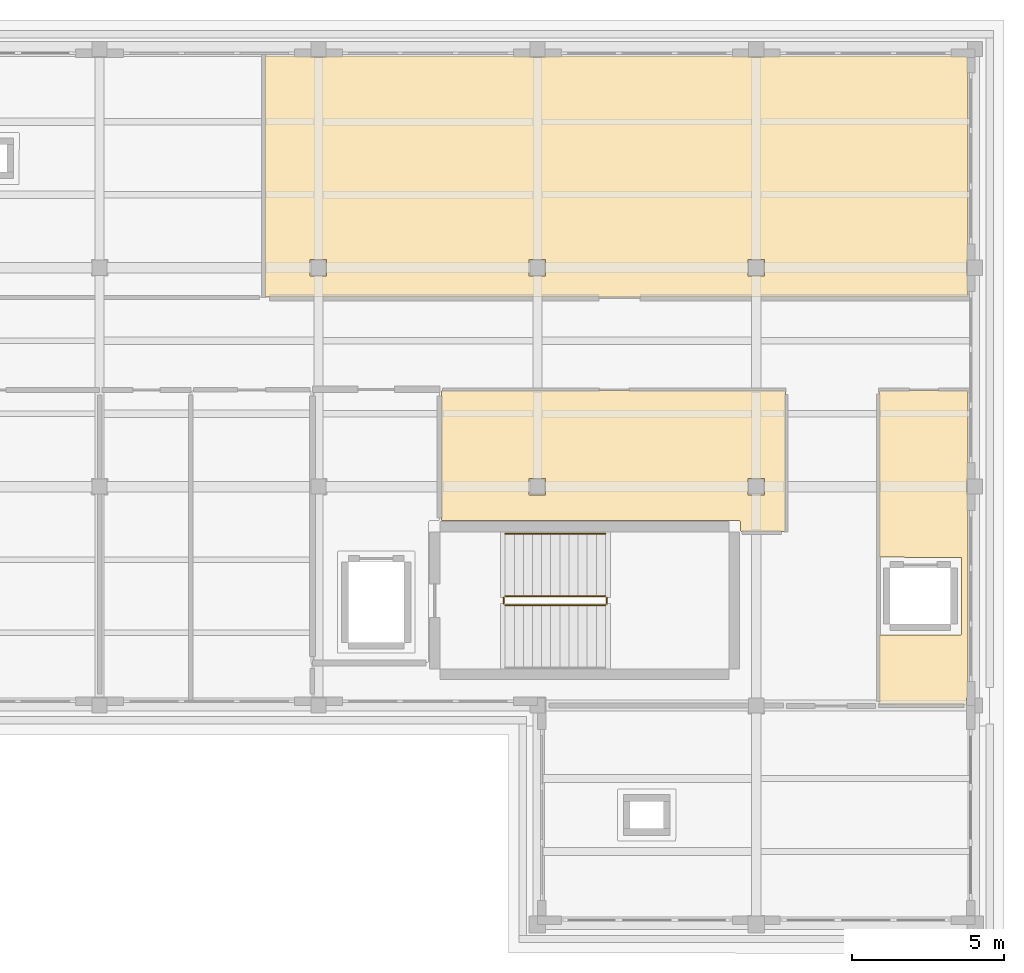
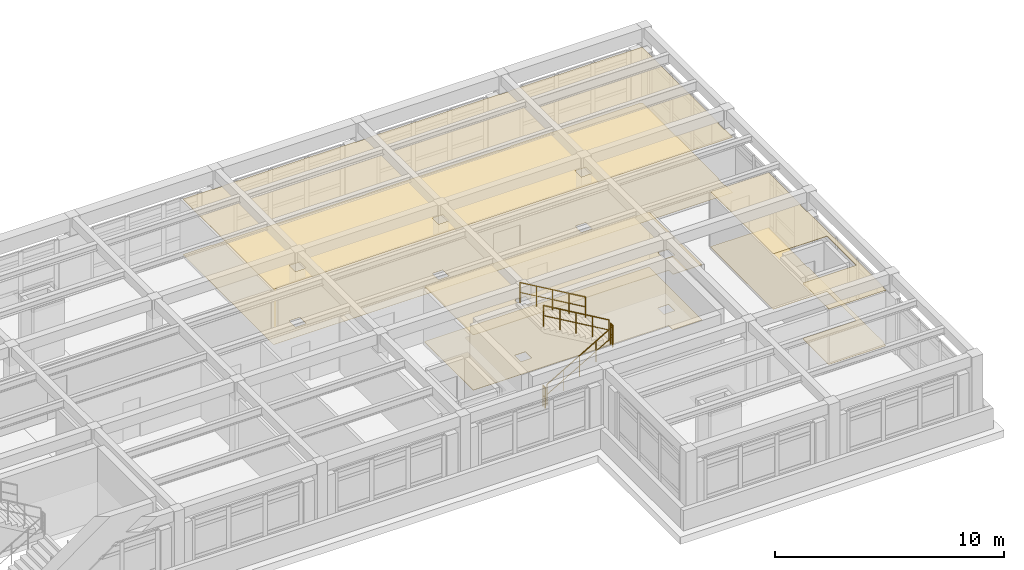
# One storey, part 20 of 20: 6 coverings, 5 railings.
"""IFC4 building model written with IfcOpenShell, lengths in metres."""

import ifcopenshell
import ifcopenshell.guid

model = None  # the IFC model being written
_history = None  # IfcOwnerHistory: only IFC2X3 demands one
_inside = {}  # id of a spatial element -> (the spatial element, [elements in it])
_under = {}  # id of a project, library or spatial element -> (it, [spatial elements below it])
_declared = {}  # id of a project -> (the project, [libraries it declares])
_typed = {}  # id of a type object -> (the type object, [elements of that type])
_made_of = {}  # id of a material, layer set ... -> (it, [elements and type objects made of it])


def new_model(schema):
    """Start an empty IFC model of exactly this schema.

    Asked for "IFC4X3", IfcOpenShell would pick the latest addendum, in which some entities
    have other attributes; the version numbers below select the first issue.
    IFC2X3 requires an IfcOwnerHistory on every rooted entity: one is made here for all.
    """
    global model, _history
    if schema == "IFC4X3":
        model = ifcopenshell.file(schema_version=(4, 3, 0, 0))
    else:
        model = ifcopenshell.file(schema=schema)
    _inside.clear()
    _under.clear()
    _declared.clear()
    _typed.clear()
    _made_of.clear()
    _history = None
    if model.schema == "IFC2X3":
        org = make("IfcOrganization", Name="unknown")
        user = make(
            "IfcPersonAndOrganization",
            ThePerson=make("IfcPerson", FamilyName="unknown"),
            TheOrganization=org,
        )
        app = make(
            "IfcApplication",
            ApplicationDeveloper=org,
            Version="unknown",
            ApplicationFullName="unknown",
            ApplicationIdentifier="unknown",
        )
        _history = make(
            "IfcOwnerHistory",
            OwningUser=user,
            OwningApplication=app,
            ChangeAction="ADDED",
            CreationDate=0,
        )
    return model


def make(cls, **values):
    """One entity of the class cls with the attributes given. An attribute that is None is left unset."""
    return model.create_entity(
        cls, **{name: value for name, value in values.items() if value is not None}
    )


def rooted(cls, **values):
    """An entity with a GlobalId (a new one), such as an element, a storey or a relation."""
    return make(cls, GlobalId=ifcopenshell.guid.new(), OwnerHistory=_history, **values)


def si_unit(unit_type, name, prefix=None):
    """IfcSIUnit, for example si_unit("LENGTHUNIT", "METRE", prefix="MILLI")."""
    return make("IfcSIUnit", UnitType=unit_type, Prefix=prefix, Name=name)


def assignment(units):
    """IfcUnitAssignment: the units of a project."""
    return None if units is None else make("IfcUnitAssignment", Units=units)


def point(xyz):
    """IfcCartesianPoint."""
    return None if xyz is None else make("IfcCartesianPoint", Coordinates=xyz)


def direction(xyz):
    """IfcDirection."""
    return None if xyz is None else make("IfcDirection", DirectionRatios=xyz)


def frame(location, z_axis=None, x_axis=None):
    """IfcAxis2Placement3D, a coordinate frame: its origin and axes. An axis left out is left unset."""
    return make(
        "IfcAxis2Placement3D",
        Location=point(location),
        Axis=direction(z_axis),
        RefDirection=direction(x_axis),
    )


def frame_2d(location, x_axis=None):
    """IfcAxis2Placement2D, a coordinate frame in the plane: its origin and x axis."""
    return make(
        "IfcAxis2Placement2D", Location=point(location), RefDirection=direction(x_axis)
    )


def origin():
    """The frame at (0, 0, 0) with its axes left unset."""
    return frame((0.0, 0.0, 0.0))


def origin_2d():
    """The frame at (0, 0) in the plane with its x axis left unset."""
    return frame_2d((0.0, 0.0))


def place(relative_to, where):
    """IfcLocalPlacement: puts the frame where relative to a parent placement (None: the world)."""
    return make(
        "IfcLocalPlacement", PlacementRelTo=relative_to, RelativePlacement=where
    )


def context(
    kind, dimensions, precision=None, world=None, true_north=None, identifier=None
):
    """IfcGeometricRepresentationContext, for example the 3D "Model" context."""
    return make(
        "IfcGeometricRepresentationContext",
        ContextIdentifier=identifier,
        ContextType=kind,
        CoordinateSpaceDimension=dimensions,
        Precision=precision,
        WorldCoordinateSystem=world,
        TrueNorth=true_north,
    )


def subcontext(parent, identifier, kind, view, scale=None):
    """IfcGeometricRepresentationSubContext, for example "Body" below "Model"."""
    return make(
        "IfcGeometricRepresentationSubContext",
        ContextIdentifier=identifier,
        ContextType=kind,
        ParentContext=parent,
        TargetScale=scale,
        TargetView=view,
    )


def project(units=None, contexts=None):
    """IfcProject with its units and contexts."""
    return rooted(
        "IfcProject",
        Name="project",
        RepresentationContexts=contexts,
        UnitsInContext=assignment(units),
    )


def spatial(cls, under=None, at=None, **own):
    """A site, building, storey or space (cls), placed at a placement, below another one or the project."""
    s = rooted(cls, ObjectPlacement=at, **own)
    if under is not None:
        _under.setdefault(under.id(), (under, []))[1].append(s)
    return s


def polyline(points):
    """IfcPolyline through the points."""
    return make("IfcPolyline", Points=[point(p) for p in points])


def profile(cls, at=None, kind="AREA", **sizes):
    """A parametric profile (cls). Its sizes go by their IFC names, for example OverallWidth=200.0."""
    return make(cls, ProfileType=kind, Position=at, **sizes)


def circle(**sizes):
    """IfcCircleProfileDef."""
    return profile("IfcCircleProfileDef", **sizes)


def outline(outer, holes=None, kind="AREA"):
    """IfcArbitraryClosedProfileDef: a profile drawn as a closed curve; with holes, ...WithVoids."""
    if holes is None:
        return make("IfcArbitraryClosedProfileDef", ProfileType=kind, OuterCurve=outer)
    return make(
        "IfcArbitraryProfileDefWithVoids",
        ProfileType=kind,
        OuterCurve=outer,
        InnerCurves=holes,
    )


def extrude(swept, where, along, depth):
    """IfcExtrudedAreaSolid: the profile swept, set in the frame where, extruded along a direction by depth."""
    return make(
        "IfcExtrudedAreaSolid",
        SweptArea=swept,
        Position=where,
        ExtrudedDirection=direction(along),
        Depth=depth,
    )


def shape(context_of_items, identifier, shape_type, items):
    """IfcShapeRepresentation: the items that make up one representation, for example the "Body"."""
    return make(
        "IfcShapeRepresentation",
        ContextOfItems=context_of_items,
        RepresentationIdentifier=identifier,
        RepresentationType=shape_type,
        Items=items,
    )


def material(Name=None, Category=None):
    """IfcMaterial."""
    return make("IfcMaterial", Name=Name, Category=Category)


def layer(
    of_material, thickness, ventilated=None, Name=None, Category=None, Priority=None
):
    """IfcMaterialLayer: one layer of a wall or slab, of a material (None: an air gap)."""
    return make(
        "IfcMaterialLayer",
        Material=of_material,
        LayerThickness=thickness,
        IsVentilated=ventilated,
        Name=Name,
        Category=Category,
        Priority=Priority,
    )


def layer_set(layers, Name=None):
    """IfcMaterialLayerSet."""
    return make("IfcMaterialLayerSet", MaterialLayers=layers, LayerSetName=Name)


def made_of(thing, what):
    """Note that an element or type object is made of a material, layer set ...; save() writes the relation."""
    if what is not None:
        _made_of.setdefault(what.id(), (what, []))[1].append(thing)
    return thing


def type_object(cls, material=None, **own):
    """A type object (cls), such as IfcWallType, which elements share."""
    return made_of(rooted(cls, **own), material)


def element(
    cls,
    number,
    at=None,
    inside=None,
    cuts=None,
    type_object=None,
    material=None,
    context=None,
    identifier="Body",
    shape_type=None,
    held_by="IfcProductDefinitionShape",
    body=None,
    shapes=None,
    **own,
):
    """One element of the class cls, such as IfcWall. Its Tag is "e" and its number.

    at: its placement. inside: the storey or other place that contains it. cuts: it is an
    opening in that element (IfcRelVoidsElement). A single representation is given by context,
    identifier, shape_type and body (its items); several are given by shapes. held_by: the class
    of the entity that holds the representations. save() writes the other relations.
    """
    e = rooted(cls, Tag="e%d" % number, ObjectPlacement=at, **own)
    if body is not None:
        shapes = [shape(context, identifier, shape_type, body)]
    if shapes is not None:
        e.Representation = make(held_by, Representations=shapes)
    if inside is not None:
        _inside.setdefault(inside.id(), (inside, []))[1].append(e)
    if cuts is not None:
        rooted(
            "IfcRelVoidsElement", RelatingBuildingElement=cuts, RelatedOpeningElement=e
        )
    if type_object is not None:
        _typed.setdefault(type_object.id(), (type_object, []))[1].append(e)
    return made_of(e, material)


def aggregate(whole, parts):
    """IfcRelAggregates: a whole, such as a stair, and the parts it consists of."""
    return rooted("IfcRelAggregates", RelatingObject=whole, RelatedObjects=parts)


def save(model, path):
    """Write the relations noted so far, then the file.

    IfcRelAggregates (storeys below a building ...), IfcRelContainedInSpatialStructure (elements
    in a storey), IfcRelDefinesByType, IfcRelAssociatesMaterial and IfcRelDeclares: one each for
    every whole, place, type object, material and project.
    """
    for whole, parts in _under.values():
        aggregate(whole, parts)
    for where, things in _inside.values():
        rooted(
            "IfcRelContainedInSpatialStructure",
            RelatedElements=things,
            RelatingStructure=where,
        )
    for kind, things in _typed.values():
        rooted("IfcRelDefinesByType", RelatedObjects=things, RelatingType=kind)
    for what, things in _made_of.values():
        rooted("IfcRelAssociatesMaterial", RelatedObjects=things, RelatingMaterial=what)
    for by, libraries in _declared.values():
        rooted("IfcRelDeclares", RelatingContext=by, RelatedDefinitions=libraries)
    model.write(path)


model = new_model("IFC4")

# Units and contexts
model_context = context("Model", 3, precision=1e-05, world=origin(), true_north=direction((0.0, 1.0)))
body_context = subcontext(model_context, "Body", "Model", "MODEL_VIEW")
ifc_project = project(units=[si_unit("LENGTHUNIT", "METRE"), si_unit("AREAUNIT", "SQUARE_METRE"), si_unit("VOLUMEUNIT", "CUBIC_METRE"), si_unit("PLANEANGLEUNIT", "RADIAN"), si_unit("MASSUNIT", "GRAM", prefix="KILO")], contexts=[model_context])

# Site, building, storey
site_placement = place(None, origin())
site = spatial("IfcSite", under=ifc_project, at=site_placement, CompositionType="ELEMENT")
building_placement = place(site_placement, origin())
building = spatial("IfcBuilding", under=site, at=building_placement, Name="Solenvale Faculty of Natural Sciences", CompositionType="ELEMENT")
storey_placement = place(building_placement, frame((0.0, 0.0, 35.39990234375)))
storey = spatial("IfcBuildingStorey", under=building, at=storey_placement, Name="L08", CompositionType="ELEMENT", Elevation=35.39990234375)

# Coverings
ifc_material_1 = material(Name="Acoustic mineral-timber ceiling", Category="wood")
ifc_layer_1 = layer(ifc_material_1, 0.02490234375)
ifc_layer_set_1 = layer_set([ifc_layer_1], Name="Acoustic mineral-timber ceiling")
covering_type_1 = type_object("IfcCoveringType", Name="COV-CEIL-AC25", PredefinedType="CEILING", material=ifc_layer_set_1)
covering_1_placement = place(storey_placement, frame((0.0, 0.0, 2.93505859375)))
element("IfcCovering", 1, at=covering_1_placement, inside=storey, type_object=covering_type_1, Name="L08 Preparative Organic Chemistry Laboratory Acoustic Ceiling", PredefinedType="CEILING", context=body_context, shape_type="SweptSolid", body=[
    extrude(outline(polyline([(129.294921875, 114.9599609375), (129.3359375, 114.925048828125), (129.865966796875, 114.925048828125), (129.905029296875, 114.9599609375), (136.4951171875, 114.9599609375), (136.535888671875, 114.925048828125), (137.06591796875, 114.925048828125), (137.10498046875, 114.9599609375), (143.695068359375, 114.9599609375), (143.736083984375, 114.925048828125), (144.26611328125, 114.925048828125), (144.304931640625, 114.9599609375), (150.904052734375, 114.958984375), (150.9599609375, 114.89501953125), (150.9599609375, 108.304931640625), (150.925048828125, 108.263916015625), (150.925048828125, 107.73388671875), (150.9599609375, 107.695068359375), (150.9580078125, 107.05908203125), (150.929931640625, 107.0400390625), (127.85888671875, 107.0419921875), (127.840087890625, 107.070068359375), (127.841064453125, 114.93603515625), (127.8701171875, 114.9599609375), (129.294921875, 114.9599609375)]), holes=[polyline([(143.72509765625, 107.736083984375), (143.736083984375, 107.72509765625), (144.27197265625, 107.72802734375), (144.27197265625, 108.27197265625), (143.72802734375, 108.27197265625), (143.72509765625, 107.736083984375)]), polyline([(136.52490234375, 107.736083984375), (136.535888671875, 107.72509765625), (137.072021484375, 107.72802734375), (137.072021484375, 108.27197265625), (136.528076171875, 108.27197265625), (136.52490234375, 107.736083984375)]), polyline([(129.324951171875, 107.736083984375), (129.3359375, 107.72509765625), (129.8720703125, 107.72802734375), (129.8720703125, 108.27197265625), (129.327880859375, 108.27197265625), (129.324951171875, 107.736083984375)])]), origin(), (0.0, 0.0, 1.0), 0.025146484375),
])
covering_2_placement = place(storey_placement, frame((0.0, 0.0, 2.93505859375)))
element("IfcCovering", 2, at=covering_2_placement, inside=storey, type_object=covering_type_1, Name="L08 Building Electrical and Telecom Closet Acoustic Ceiling", PredefinedType="CEILING", context=body_context, shape_type="SweptSolid", body=[
    extrude(outline(polyline([(144.929931640625, 103.9599609375), (144.950927734375, 103.950927734375), (144.9599609375, 103.929931640625), (144.9599609375, 99.35009765625), (144.94091796875, 99.322021484375), (143.50390625, 99.321044921875), (143.47998046875, 99.346923828125), (143.47998046875, 99.654052734375), (143.450927734375, 99.679931640625), (133.669921875, 99.679931640625), (133.64208984375, 99.698974609375), (133.639892578125, 103.929931640625), (133.658935546875, 103.9580078125), (144.929931640625, 103.9599609375)]), holes=[polyline([(144.263916015625, 100.52490234375), (144.27490234375, 100.535888671875), (144.27197265625, 101.072021484375), (143.72802734375, 101.072021484375), (143.72802734375, 100.528076171875), (144.263916015625, 100.52490234375)]), polyline([(136.52490234375, 100.535888671875), (136.535888671875, 100.52490234375), (137.072021484375, 100.528076171875), (137.072021484375, 101.072021484375), (136.528076171875, 101.072021484375), (136.52490234375, 100.535888671875)])]), origin(), (0.0, 0.0, 1.0), 0.025146484375),
])
covering_3_placement = place(storey_placement, frame((0.0, 0.0, 2.93505859375)))
element("IfcCovering", 3, at=covering_3_placement, inside=storey, type_object=covering_type_1, Name="L08 Elevator Lobby Acoustic Ceiling", PredefinedType="CEILING", context=body_context, shape_type="SweptSolid", body=[
    extrude(outline(polyline([(148.0400390625, 95.889892578125), (148.049072265625, 95.910888671875), (148.070068359375, 95.919921875), (150.72509765625, 95.919921875), (150.7470703125, 95.929931640625), (150.7548828125, 95.949951171875), (150.7548828125, 98.449951171875), (150.7451171875, 98.471923828125), (148.070068359375, 98.47998046875), (148.041015625, 98.5009765625), (148.0419921875, 103.94091796875), (148.070068359375, 103.9599609375), (150.94091796875, 103.9580078125), (150.9599609375, 103.929931640625), (150.9599609375, 101.10498046875), (150.925048828125, 101.06591796875), (150.925048828125, 100.535888671875), (150.9599609375, 100.4951171875), (150.9599609375, 93.905029296875), (150.925048828125, 93.866943359375), (150.91796875, 93.631103515625), (150.89501953125, 93.6201171875), (148.051025390625, 93.626953125), (148.0400390625, 93.64990234375), (148.0400390625, 95.889892578125)])), origin(), (0.0, 0.0, 1.0), 0.025146484375),
])
ifc_material_2 = material(Name="Polished slate terrazzo flooring", Category="masonry")
ifc_layer_2 = layer(ifc_material_2, 0.01806640625)
ifc_layer_set_2 = layer_set([ifc_layer_2], Name="Polished slate terrazzo flooring")
covering_type_2 = type_object("IfcCoveringType", Name="COV-FLR-TRZ18", PredefinedType="FLOORING", material=ifc_layer_set_2)
covering_4_placement = place(storey_placement, origin())
element("IfcCovering", 4, at=covering_4_placement, inside=storey, type_object=covering_type_2, Name="L08 Building Electrical and Telecom Closet Floor Finish", PredefinedType="FLOORING", context=body_context, shape_type="SweptSolid", body=[
    extrude(outline(polyline([(144.929931640625, 103.9599609375), (144.950927734375, 103.950927734375), (144.9599609375, 103.929931640625), (144.9599609375, 99.35009765625), (144.94091796875, 99.322021484375), (143.50390625, 99.321044921875), (143.47998046875, 99.346923828125), (143.47998046875, 99.654052734375), (143.450927734375, 99.679931640625), (133.669921875, 99.679931640625), (133.64208984375, 99.698974609375), (133.639892578125, 103.929931640625), (133.658935546875, 103.9580078125), (144.929931640625, 103.9599609375)]), holes=[polyline([(144.263916015625, 100.52490234375), (144.27490234375, 100.535888671875), (144.27197265625, 101.072021484375), (143.72802734375, 101.072021484375), (143.72802734375, 100.528076171875), (144.263916015625, 100.52490234375)]), polyline([(136.52490234375, 100.535888671875), (136.535888671875, 100.52490234375), (137.072021484375, 100.528076171875), (137.072021484375, 101.072021484375), (136.528076171875, 101.072021484375), (136.52490234375, 100.535888671875)])]), origin(), (0.0, 0.0, 1.0), 0.01806640625),
])
covering_5_placement = place(storey_placement, origin())
element("IfcCovering", 5, at=covering_5_placement, inside=storey, type_object=covering_type_2, Name="L08 Elevator Lobby Floor Finish", PredefinedType="FLOORING", context=body_context, shape_type="SweptSolid", body=[
    extrude(outline(polyline([(148.0400390625, 95.889892578125), (148.049072265625, 95.910888671875), (148.070068359375, 95.919921875), (150.72509765625, 95.919921875), (150.7470703125, 95.929931640625), (150.7548828125, 95.949951171875), (150.7548828125, 98.449951171875), (150.7451171875, 98.471923828125), (148.070068359375, 98.47998046875), (148.041015625, 98.5009765625), (148.0419921875, 103.94091796875), (148.070068359375, 103.9599609375), (150.94091796875, 103.9580078125), (150.9599609375, 103.929931640625), (150.9599609375, 101.10498046875), (150.925048828125, 101.06591796875), (150.925048828125, 100.535888671875), (150.9599609375, 100.4951171875), (150.9599609375, 93.905029296875), (150.925048828125, 93.866943359375), (150.91796875, 93.631103515625), (150.89501953125, 93.6201171875), (148.051025390625, 93.626953125), (148.0400390625, 93.64990234375), (148.0400390625, 95.889892578125)])), origin(), (0.0, 0.0, 1.0), 0.01806640625),
])
ifc_material_3 = material(Name="Seamless laboratory vinyl flooring")
ifc_layer_3 = layer(ifc_material_3, 0.008056640625)
ifc_layer_set_3 = layer_set([ifc_layer_3], Name="Seamless laboratory vinyl flooring")
covering_type_3 = type_object("IfcCoveringType", Name="COV-FLR-VNL08", PredefinedType="FLOORING", material=ifc_layer_set_3)
covering_6_placement = place(storey_placement, origin())
element("IfcCovering", 6, at=covering_6_placement, inside=storey, type_object=covering_type_3, Name="L08 Preparative Organic Chemistry Laboratory Floor Finish", PredefinedType="FLOORING", context=body_context, shape_type="SweptSolid", body=[
    extrude(outline(polyline([(129.294921875, 114.9599609375), (129.3359375, 114.925048828125), (129.865966796875, 114.925048828125), (129.905029296875, 114.9599609375), (136.4951171875, 114.9599609375), (136.535888671875, 114.925048828125), (137.06591796875, 114.925048828125), (137.10498046875, 114.9599609375), (143.695068359375, 114.9599609375), (143.736083984375, 114.925048828125), (144.26611328125, 114.925048828125), (144.304931640625, 114.9599609375), (150.904052734375, 114.958984375), (150.9599609375, 114.89501953125), (150.9599609375, 108.304931640625), (150.925048828125, 108.263916015625), (150.925048828125, 107.73388671875), (150.9599609375, 107.695068359375), (150.9580078125, 107.05908203125), (150.929931640625, 107.0400390625), (127.85888671875, 107.0419921875), (127.840087890625, 107.070068359375), (127.841064453125, 114.93603515625), (127.8701171875, 114.9599609375), (129.294921875, 114.9599609375)]), holes=[polyline([(143.72509765625, 107.736083984375), (143.736083984375, 107.72509765625), (144.27197265625, 107.72802734375), (144.27197265625, 108.27197265625), (143.72802734375, 108.27197265625), (143.72509765625, 107.736083984375)]), polyline([(136.52490234375, 107.736083984375), (136.535888671875, 107.72509765625), (137.072021484375, 107.72802734375), (137.072021484375, 108.27197265625), (136.528076171875, 108.27197265625), (136.52490234375, 107.736083984375)]), polyline([(129.324951171875, 107.736083984375), (129.3359375, 107.72509765625), (129.8720703125, 107.72802734375), (129.8720703125, 108.27197265625), (129.327880859375, 108.27197265625), (129.324951171875, 107.736083984375)])]), origin(), (0.0, 0.0, 1.0), 0.008056640625),
])

# Railings
ifc_material_4 = material(Name="Stainless steel Grade 304", Category="steel")
railing_type_1 = type_object("IfcRailingType", Name="RL-GRD-1100", PredefinedType="GUARDRAIL", material=ifc_material_4)
railing_1_placement = place(storey_placement, frame((135.739990234375, 96.89990234375, 0.175048828125)))
element("IfcRailing", 7, at=railing_1_placement, inside=storey, type_object=railing_type_1, Name="L08 ST-05 stair guard 1", PredefinedType="GUARDRAIL", context=body_context, shape_type="SweptSolid", body=[
    extrude(circle(Radius=0.02392578125, at=origin_2d()), frame((0.0, 0.0, 1.09619140625), z_axis=(0.863776583165, 0.0, 0.503874998761), x_axis=(0.0, 1.0, 0.0)), (0.0, 0.0, 1.0), 3.820556640625),
    extrude(circle(Radius=0.01611328125, at=origin_2d()), frame((0.0, 0.0, 0.56005859375), z_axis=(0.863776583165, 0.0, 0.503874998761), x_axis=(0.0, 1.0, 0.0)), (0.0, 0.0, 1.0), 3.820556640625),
    extrude(circle(Radius=0.02099609375, at=origin_2d()), origin(), (0.0, 0.0, 1.0), 1.072021484375),
    extrude(circle(Radius=0.02099609375, at=origin_2d()), frame((0.824951171875, 0.0, 0.481201171875)), (0.0, 0.0, 1.0), 1.072021484375),
    extrude(circle(Radius=0.02099609375, at=origin_2d()), frame((1.64990234375, 0.0, 0.96240234375)), (0.0, 0.0, 1.0), 1.072021484375),
    extrude(circle(Radius=0.02099609375, at=origin_2d()), frame((2.47509765625, 0.0, 1.44384765625)), (0.0, 0.0, 1.0), 1.072021484375),
    extrude(circle(Radius=0.02099609375, at=origin_2d()), frame((3.300048828125, 0.0, 1.925048828125)), (0.0, 0.0, 1.0), 1.072021484375),
])
railing_2_placement = place(storey_placement, frame((139.090087890625, 96.949951171875, 2.10009765625)))
element("IfcRailing", 8, at=railing_2_placement, inside=storey, type_object=railing_type_1, Name="L08 ST-05 stair guard 2", PredefinedType="GUARDRAIL", context=body_context, shape_type="SweptSolid", body=[
    extrude(circle(Radius=0.02392578125, at=origin_2d()), frame((0.0, 0.0, 1.09619140625), z_axis=(0.0, 1.0, 0.0), x_axis=(-1.0, 0.0, 0.0)), (0.0, 0.0, 1.0), 0.199951171875),
    extrude(circle(Radius=0.01611328125, at=origin_2d()), frame((0.0, 0.0, 0.56005859375), z_axis=(0.0, 1.0, 0.0), x_axis=(-1.0, 0.0, 0.0)), (0.0, 0.0, 1.0), 0.199951171875),
    extrude(circle(Radius=0.02099609375, at=origin_2d()), origin(), (0.0, 0.0, 1.0), 1.072021484375),
    extrude(circle(Radius=0.02099609375, at=origin_2d()), frame((0.0, 0.199951171875, 0.0)), (0.0, 0.0, 1.0), 1.072021484375),
])
railing_3_placement = place(storey_placement, frame((139.0400390625, 97.199951171875, 2.275146484375)))
element("IfcRailing", 9, at=railing_3_placement, inside=storey, type_object=railing_type_1, Name="L08 ST-05 stair guard 3", PredefinedType="GUARDRAIL", context=body_context, shape_type="SweptSolid", body=[
    extrude(circle(Radius=0.02392578125, at=origin_2d()), frame((0.0, 0.0, 1.09619140625), z_axis=(-0.863776583165, 0.0, 0.503874998761), x_axis=(0.0, -1.0, 0.0)), (0.0, 0.0, 1.0), 3.820556640625),
    extrude(circle(Radius=0.01611328125, at=origin_2d()), frame((0.0, 0.0, 0.56005859375), z_axis=(-0.863776583165, 0.0, 0.503874998761), x_axis=(0.0, -1.0, 0.0)), (0.0, 0.0, 1.0), 3.820556640625),
    extrude(circle(Radius=0.02099609375, at=origin_2d()), origin(), (0.0, 0.0, 1.0), 1.072021484375),
    extrude(circle(Radius=0.02099609375, at=origin_2d()), frame((-0.824951171875, 0.0, 0.481201171875)), (0.0, 0.0, 1.0), 1.072021484375),
    extrude(circle(Radius=0.02099609375, at=origin_2d()), frame((-1.64990234375, 0.0, 0.96240234375)), (0.0, 0.0, 1.0), 1.072021484375),
    extrude(circle(Radius=0.02099609375, at=origin_2d()), frame((-2.47509765625, 0.0, 1.44384765625)), (0.0, 0.0, 1.0), 1.072021484375),
    extrude(circle(Radius=0.02099609375, at=origin_2d()), frame((-3.300048828125, 0.0, 1.925048828125)), (0.0, 0.0, 1.0), 1.072021484375),
])
railing_4_placement = place(storey_placement, frame((135.68994140625, 96.949951171875, 0.0)))
element("IfcRailing", 10, at=railing_4_placement, inside=storey, type_object=railing_type_1, Name="L08 ST-05 stair guard 4", PredefinedType="GUARDRAIL", context=body_context, shape_type="SweptSolid", body=[
    extrude(circle(Radius=0.02392578125, at=origin_2d()), frame((0.0, 0.0, 1.09619140625), z_axis=(0.0, 1.0, 0.0), x_axis=(-1.0, 0.0, 0.0)), (0.0, 0.0, 1.0), 0.199951171875),
    extrude(circle(Radius=0.01611328125, at=origin_2d()), frame((0.0, 0.0, 0.56005859375), z_axis=(0.0, 1.0, 0.0), x_axis=(-1.0, 0.0, 0.0)), (0.0, 0.0, 1.0), 0.199951171875),
    extrude(circle(Radius=0.02099609375, at=origin_2d()), origin(), (0.0, 0.0, 1.0), 1.072021484375),
    extrude(circle(Radius=0.02099609375, at=origin_2d()), frame((0.0, 0.199951171875, 0.0)), (0.0, 0.0, 1.0), 1.072021484375),
])
railing_type_2 = type_object("IfcRailingType", Name="RL-HND-900", PredefinedType="HANDRAIL", material=ifc_material_4)
railing_5_placement = place(storey_placement, frame((139.0400390625, 99.25, 2.275146484375)))
element("IfcRailing", 11, at=railing_5_placement, inside=storey, type_object=railing_type_2, Name="L08 ST-05 stair handrail 2", PredefinedType="HANDRAIL", context=body_context, shape_type="SweptSolid", body=[
    extrude(circle(Radius=0.02392578125, at=origin_2d()), frame((0.0, 0.0, 1.0751953125), z_axis=(-0.863776583165, 0.0, 0.503874998761), x_axis=(0.0, -1.0, 0.0)), (0.0, 0.0, 1.0), 3.820556640625),
    extrude(circle(Radius=0.01611328125, at=origin_2d()), frame((0.0, 0.0, 0.549560546875), z_axis=(-0.863776583165, 0.0, 0.503874998761), x_axis=(0.0, -1.0, 0.0)), (0.0, 0.0, 1.0), 3.820556640625),
    extrude(circle(Radius=0.02099609375, at=origin_2d()), origin(), (0.0, 0.0, 1.0), 1.051025390625),
    extrude(circle(Radius=0.02099609375, at=origin_2d()), frame((-0.824951171875, 0.0, 0.481201171875)), (0.0, 0.0, 1.0), 1.051025390625),
    extrude(circle(Radius=0.02099609375, at=origin_2d()), frame((-1.64990234375, 0.0, 0.96240234375)), (0.0, 0.0, 1.0), 1.051025390625),
    extrude(circle(Radius=0.02099609375, at=origin_2d()), frame((-2.47509765625, 0.0, 1.44384765625)), (0.0, 0.0, 1.0), 1.051025390625),
    extrude(circle(Radius=0.02099609375, at=origin_2d()), frame((-3.300048828125, 0.0, 1.925048828125)), (0.0, 0.0, 1.0), 1.051025390625),
])

save(model, "model.ifc")
